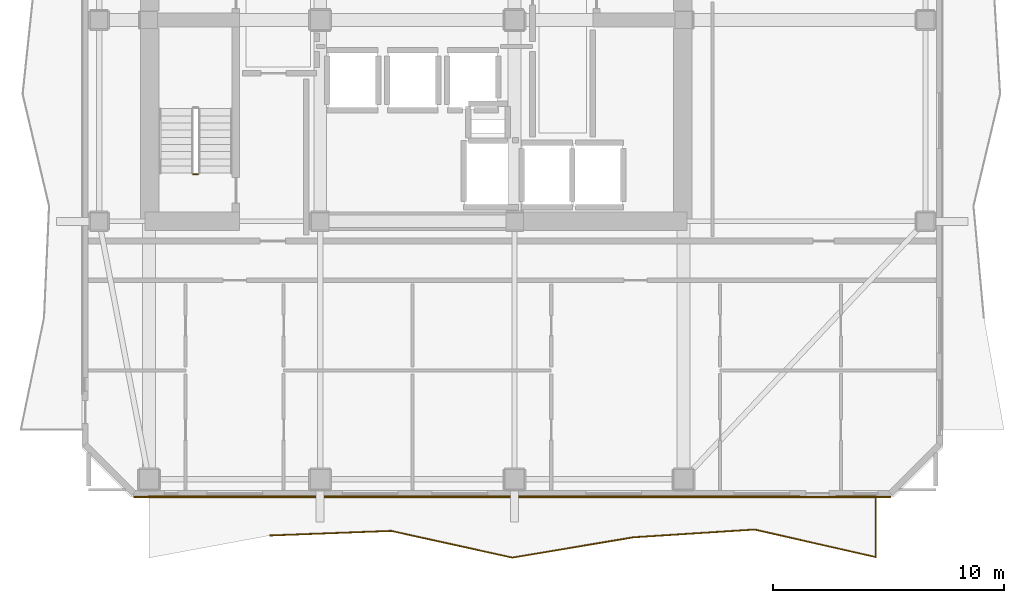
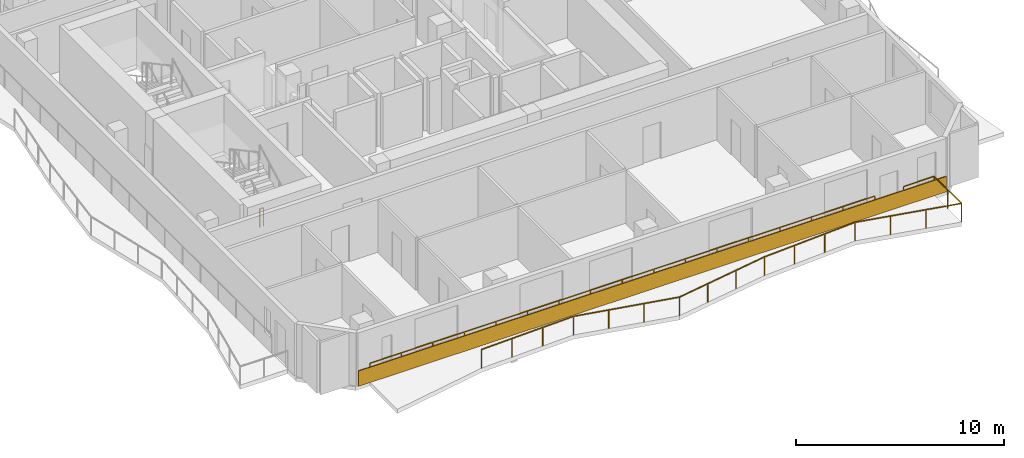
# One storey, part 7 of 9: 3 railings, 1 covering.
"""IFC4 building model written with IfcOpenShell, lengths in metres."""

from ifc_helpers import new_model, si_unit, direction, frame, frame_2d, origin, origin_2d, place, context, subcontext, project, spatial, rectangle, extrude, material, layer, layer_set, type_object, element, save


model = new_model("IFC4")

# Units and contexts
model_context = context("Model", 3, precision=1e-05, world=origin(), true_north=direction((0.0, 1.0)))
body_context = subcontext(model_context, "Body", "Model", "MODEL_VIEW")
ifc_project = project(units=[si_unit("LENGTHUNIT", "METRE"), si_unit("AREAUNIT", "SQUARE_METRE"), si_unit("VOLUMEUNIT", "CUBIC_METRE"), si_unit("PLANEANGLEUNIT", "RADIAN"), si_unit("MASSUNIT", "GRAM", prefix="KILO")], contexts=[model_context])

# Site, building, storey
site_placement = place(None, origin())
site = spatial("IfcSite", under=ifc_project, at=site_placement, CompositionType="ELEMENT")
building_placement = place(site_placement, origin())
building = spatial("IfcBuilding", under=site, at=building_placement, Name="Solanera Arch Residences", CompositionType="ELEMENT")
storey_placement = place(building_placement, frame((0.0, 0.0, 216.719970703125)))
storey = spatial("IfcBuildingStorey", under=building, at=storey_placement, Name="L63", CompositionType="ELEMENT", Elevation=216.719970703125)

# Railings
ifc_material_1 = material(Name="Steel S355 (ASTM A992 / A572 Grade 50)", Category="steel")
railing_type_1 = type_object("IfcRailingType", Name="Balustrade Railing BL-1100", PredefinedType="BALUSTRADE", material=ifc_material_1)
railing_1_placement = place(storey_placement, frame((18.633056640625, 8.423095703125, 0.0)))
element("IfcRailing", 1, at=railing_1_placement, inside=storey, type_object=railing_type_1, Name="L63 S Balcony Balustrade 1", PredefinedType="BALUSTRADE", context=body_context, shape_type="SweptSolid", body=[
    extrude(rectangle(XDim=0.048095703125, YDim=0.048095703125, at=origin_2d()), frame((0.0, 0.0, 1.09619140625), z_axis=(0.999285211852, 0.037802981006, 0.0), x_axis=(-0.037802981006, 0.999285211852, 0.0)), (0.0, 0.0, 1.0), 5.237548828125),
    extrude(rectangle(XDim=0.048095703125, YDim=0.048095703125, at=origin_2d()), frame((5.23388671875, 0.197998046875, 1.09619140625), z_axis=(0.976574624014, -0.215179003929, 0.0), x_axis=(0.215179003929, 0.976574624014, 0.0)), (0.0, 0.0, 1.0), 5.358642578125),
    extrude(rectangle(XDim=0.048095703125, YDim=0.048095703125, at=origin_2d()), frame((10.467041015625, -0.955078125, 1.09619140625), z_axis=(0.986276772513, 0.165100357366, 0.0), x_axis=(-0.165100357366, 0.986276772513, 0.0)), (0.0, 0.0, 1.0), 5.3056640625),
    extrude(rectangle(XDim=0.048095703125, YDim=0.048095703125, at=origin_2d()), frame((15.699951171875, -0.0791015625, 1.09619140625), z_axis=(0.997934560364, 0.06423872065, 0.0), x_axis=(-0.06423872065, 0.997934560364, 0.0)), (0.0, 0.0, 1.0), 5.24462890625),
    extrude(rectangle(XDim=0.048095703125, YDim=0.048095703125, at=origin_2d()), frame((20.933837890625, 0.2578125, 1.09619140625), z_axis=(0.975109166071, -0.221725312593, 0.0), x_axis=(0.221725312593, 0.975109166071, 0.0)), (0.0, 0.0, 1.0), 5.36669921875),
    extrude(rectangle(XDim=0.048095703125, YDim=0.048095703125, at=origin_2d()), frame((26.1669921875, -0.93212890625, 1.09619140625), z_axis=(0.0, 1.0, 0.0), x_axis=(-1.0, 0.0, 0.0)), (0.0, 0.0, 1.0), 2.629150390625),
    extrude(rectangle(XDim=0.048095703125, YDim=0.048095703125, at=origin_2d()), frame((26.1669921875, 1.697021484375, 1.09619140625), z_axis=(-1.0, 0.0, 0.0), x_axis=(0.0, -1.0, 0.0)), (0.0, 0.0, 1.0), 1.7099609375),
    extrude(rectangle(XDim=0.0419921875, YDim=0.0419921875, at=origin_2d()), origin(), (0.0, 0.0, 1.0), 1.072021484375),
    extrude(rectangle(XDim=0.0419921875, YDim=0.0419921875, at=origin_2d()), frame((1.74462890625, 0.06591796875, 0.0)), (0.0, 0.0, 1.0), 1.072021484375),
    extrude(rectangle(XDim=0.0419921875, YDim=0.0419921875, at=origin_2d()), frame((3.4892578125, 0.132080078125, 0.0)), (0.0, 0.0, 1.0), 1.072021484375),
    extrude(rectangle(XDim=0.0419921875, YDim=0.0419921875, at=origin_2d()), frame((5.23388671875, 0.197998046875, 0.0)), (0.0, 0.0, 1.0), 1.072021484375),
    extrude(rectangle(XDim=0.0419921875, YDim=0.0419921875, at=origin_2d()), frame((6.978271484375, -0.186279296875, 0.0)), (0.0, 0.0, 1.0), 1.072021484375),
    extrude(rectangle(XDim=0.0419921875, YDim=0.0419921875, at=origin_2d()), frame((8.72265625, -0.57080078125, 0.0)), (0.0, 0.0, 1.0), 1.072021484375),
    extrude(rectangle(XDim=0.0419921875, YDim=0.0419921875, at=origin_2d()), frame((10.467041015625, -0.955078125, 0.0)), (0.0, 0.0, 1.0), 1.072021484375),
    extrude(rectangle(XDim=0.0419921875, YDim=0.0419921875, at=origin_2d()), frame((12.21142578125, -0.6630859375, 0.0)), (0.0, 0.0, 1.0), 1.072021484375),
    extrude(rectangle(XDim=0.0419921875, YDim=0.0419921875, at=origin_2d()), frame((13.95556640625, -0.37109375, 0.0)), (0.0, 0.0, 1.0), 1.072021484375),
    extrude(rectangle(XDim=0.0419921875, YDim=0.0419921875, at=origin_2d()), frame((15.699951171875, -0.0791015625, 0.0)), (0.0, 0.0, 1.0), 1.072021484375),
    extrude(rectangle(XDim=0.0419921875, YDim=0.0419921875, at=origin_2d()), frame((17.444580078125, 0.033203125, 0.0)), (0.0, 0.0, 1.0), 1.072021484375),
    extrude(rectangle(XDim=0.0419921875, YDim=0.0419921875, at=origin_2d()), frame((19.189208984375, 0.1455078125, 0.0)), (0.0, 0.0, 1.0), 1.072021484375),
    extrude(rectangle(XDim=0.0419921875, YDim=0.0419921875, at=origin_2d()), frame((20.933837890625, 0.2578125, 0.0)), (0.0, 0.0, 1.0), 1.072021484375),
    extrude(rectangle(XDim=0.0419921875, YDim=0.0419921875, at=origin_2d()), frame((22.67822265625, -0.138916015625, 0.0)), (0.0, 0.0, 1.0), 1.072021484375),
    extrude(rectangle(XDim=0.0419921875, YDim=0.0419921875, at=origin_2d()), frame((24.422607421875, -0.535400390625, 0.0)), (0.0, 0.0, 1.0), 1.072021484375),
    extrude(rectangle(XDim=0.0419921875, YDim=0.0419921875, at=origin_2d()), frame((26.1669921875, -0.93212890625, 0.0)), (0.0, 0.0, 1.0), 1.072021484375),
    extrude(rectangle(XDim=0.0419921875, YDim=0.0419921875, at=origin_2d()), frame((26.1669921875, 0.38232421875, 0.0)), (0.0, 0.0, 1.0), 1.072021484375),
    extrude(rectangle(XDim=0.0419921875, YDim=0.0419921875, at=origin_2d()), frame((26.1669921875, 1.697021484375, 0.0)), (0.0, 0.0, 1.0), 1.072021484375),
    extrude(rectangle(XDim=0.0419921875, YDim=0.0419921875, at=origin_2d()), frame((24.45703125, 1.697021484375, 0.0)), (0.0, 0.0, 1.0), 1.072021484375),
])
railing_2_placement = place(storey_placement, frame((41.489990234375, 10.1201171875, 0.0)))
element("IfcRailing", 2, at=railing_2_placement, inside=storey, type_object=railing_type_1, Name="L63 S Balcony Balustrade 2", PredefinedType="BALUSTRADE", context=body_context, shape_type="SweptSolid", body=[
    extrude(rectangle(XDim=0.048095703125, YDim=0.048095703125, at=origin_2d()), frame((0.0, 0.0, 1.09619140625), z_axis=(-1.0, 0.0, 0.0), x_axis=(0.0, -1.0, 0.0)), (0.0, 0.0, 1.0), 28.090087890625),
    extrude(rectangle(XDim=0.0419921875, YDim=0.0419921875, at=origin_2d()), origin(), (0.0, 0.0, 1.0), 1.072021484375),
    extrude(rectangle(XDim=0.0419921875, YDim=0.0419921875, at=origin_2d()), frame((-1.755615234375, 0.0, 0.0)), (0.0, 0.0, 1.0), 1.072021484375),
    extrude(rectangle(XDim=0.0419921875, YDim=0.0419921875, at=origin_2d()), frame((-3.51123046875, 0.0, 0.0)), (0.0, 0.0, 1.0), 1.072021484375),
    extrude(rectangle(XDim=0.0419921875, YDim=0.0419921875, at=origin_2d()), frame((-5.266845703125, 0.0, 0.0)), (0.0, 0.0, 1.0), 1.072021484375),
    extrude(rectangle(XDim=0.0419921875, YDim=0.0419921875, at=origin_2d()), frame((-7.0224609375, 0.0, 0.0)), (0.0, 0.0, 1.0), 1.072021484375),
    extrude(rectangle(XDim=0.0419921875, YDim=0.0419921875, at=origin_2d()), frame((-8.778076171875, 0.0, 0.0)), (0.0, 0.0, 1.0), 1.072021484375),
    extrude(rectangle(XDim=0.0419921875, YDim=0.0419921875, at=origin_2d()), frame((-10.53369140625, 0.0, 0.0)), (0.0, 0.0, 1.0), 1.072021484375),
    extrude(rectangle(XDim=0.0419921875, YDim=0.0419921875, at=origin_2d()), frame((-12.289306640625, 0.0, 0.0)), (0.0, 0.0, 1.0), 1.072021484375),
    extrude(rectangle(XDim=0.0419921875, YDim=0.0419921875, at=origin_2d()), frame((-14.044921875, 0.0, 0.0)), (0.0, 0.0, 1.0), 1.072021484375),
    extrude(rectangle(XDim=0.0419921875, YDim=0.0419921875, at=origin_2d()), frame((-15.80078125, 0.0, 0.0)), (0.0, 0.0, 1.0), 1.072021484375),
    extrude(rectangle(XDim=0.0419921875, YDim=0.0419921875, at=origin_2d()), frame((-17.556396484375, 0.0, 0.0)), (0.0, 0.0, 1.0), 1.072021484375),
    extrude(rectangle(XDim=0.0419921875, YDim=0.0419921875, at=origin_2d()), frame((-19.31201171875, 0.0, 0.0)), (0.0, 0.0, 1.0), 1.072021484375),
    extrude(rectangle(XDim=0.0419921875, YDim=0.0419921875, at=origin_2d()), frame((-21.067626953125, 0.0, 0.0)), (0.0, 0.0, 1.0), 1.072021484375),
    extrude(rectangle(XDim=0.0419921875, YDim=0.0419921875, at=origin_2d()), frame((-22.8232421875, 0.0, 0.0)), (0.0, 0.0, 1.0), 1.072021484375),
    extrude(rectangle(XDim=0.0419921875, YDim=0.0419921875, at=origin_2d()), frame((-24.578857421875, 0.0, 0.0)), (0.0, 0.0, 1.0), 1.072021484375),
    extrude(rectangle(XDim=0.0419921875, YDim=0.0419921875, at=origin_2d()), frame((-26.33447265625, 0.0, 0.0)), (0.0, 0.0, 1.0), 1.072021484375),
    extrude(rectangle(XDim=0.0419921875, YDim=0.0419921875, at=origin_2d()), frame((-28.090087890625, 0.0, 0.0)), (0.0, 0.0, 1.0), 1.072021484375),
])

# Covering
ifc_material_2 = material(Name="Philippine Adobe Travertine Cladding", Category="masonry")
ifc_layer = layer(ifc_material_2, 0.06005859375)
ifc_layer_set = layer_set([ifc_layer], Name="Philippine Adobe Travertine Cladding")
covering_type = type_object("IfcCoveringType", Name="Precast Pier Stone Cladding CLD-60", PredefinedType="CLADDING", material=ifc_layer_set)
covering_placement = place(storey_placement, frame((45.455078125, 10.0849609375, 0.0), z_axis=(0.0, 0.0, 1.0), x_axis=(-1.0, 0.0, 0.0)))
element("IfcCovering", 3, at=covering_placement, inside=storey, type_object=covering_type, Name="L63 S Precast Spandrel Stone Band", PredefinedType="CLADDING", context=body_context, shape_type="SweptSolid", body=[
    extrude(rectangle(XDim=32.7099609375, YDim=0.06005859375, at=frame_2d((16.35498046875, 0.0))), origin(), (0.0, 0.0, 1.0), 0.900146484375),
])

# Railing
ifc_material_3 = material(Name="Steel S355 (ASTM A992 / A572 Grade 50)", Category="steel")
railing_type_2 = type_object("IfcRailingType", Name="Stair Guardrail GR-1100", PredefinedType="GUARDRAIL", material=ifc_material_3)
railing_3_placement = place(storey_placement, frame((15.52001953125, 24.030029296875, -0.014892578125)))
element("IfcRailing", 4, at=railing_3_placement, inside=storey, type_object=railing_type_2, Name="L63 ST-T3 stair guard 4", PredefinedType="GUARDRAIL", context=body_context, shape_type="SweptSolid", body=[
    extrude(rectangle(XDim=0.048095703125, YDim=0.048095703125, at=origin_2d()), frame((0.0, 0.0, 1.076171875), z_axis=(-1.0, 0.0, 0.0), x_axis=(0.0, -1.0, 0.0)), (0.0, 0.0, 1.0), 0.199951171875),
    extrude(rectangle(XDim=0.0419921875, YDim=0.0419921875, at=origin_2d()), origin(), (0.0, 0.0, 1.0), 1.052001953125),
    extrude(rectangle(XDim=0.0419921875, YDim=0.0419921875, at=origin_2d()), frame((-0.199951171875, 0.0, 0.0)), (0.0, 0.0, 1.0), 1.052001953125),
])

save(model, "model.ifc")
